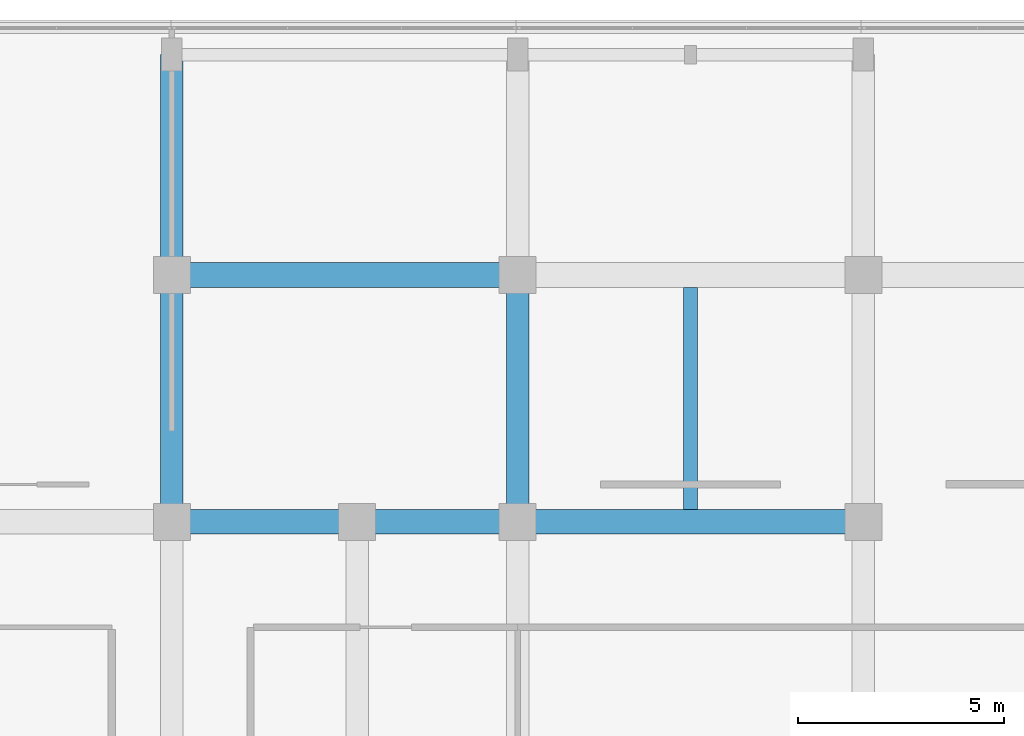
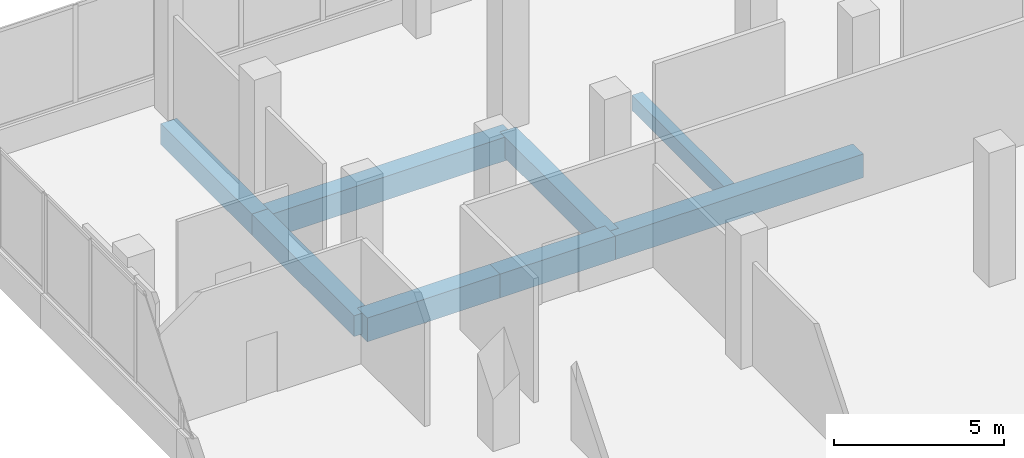
# One storey, part 77 of 168: 8 beams.
"""IFC4 building model written with IfcOpenShell, lengths in metres."""

import ifcopenshell
import ifcopenshell.guid

model = None  # the IFC model being written
_history = None  # IfcOwnerHistory: only IFC2X3 demands one
_inside = {}  # id of a spatial element -> (the spatial element, [elements in it])
_under = {}  # id of a project, library or spatial element -> (it, [spatial elements below it])
_declared = {}  # id of a project -> (the project, [libraries it declares])
_typed = {}  # id of a type object -> (the type object, [elements of that type])
_made_of = {}  # id of a material, layer set ... -> (it, [elements and type objects made of it])


def new_model(schema):
    """Start an empty IFC model of exactly this schema.

    Asked for "IFC4X3", IfcOpenShell would pick the latest addendum, in which some entities
    have other attributes; the version numbers below select the first issue.
    IFC2X3 requires an IfcOwnerHistory on every rooted entity: one is made here for all.
    """
    global model, _history
    if schema == "IFC4X3":
        model = ifcopenshell.file(schema_version=(4, 3, 0, 0))
    else:
        model = ifcopenshell.file(schema=schema)
    _inside.clear()
    _under.clear()
    _declared.clear()
    _typed.clear()
    _made_of.clear()
    _history = None
    if model.schema == "IFC2X3":
        org = make("IfcOrganization", Name="unknown")
        user = make(
            "IfcPersonAndOrganization",
            ThePerson=make("IfcPerson", FamilyName="unknown"),
            TheOrganization=org,
        )
        app = make(
            "IfcApplication",
            ApplicationDeveloper=org,
            Version="unknown",
            ApplicationFullName="unknown",
            ApplicationIdentifier="unknown",
        )
        _history = make(
            "IfcOwnerHistory",
            OwningUser=user,
            OwningApplication=app,
            ChangeAction="ADDED",
            CreationDate=0,
        )
    return model


def make(cls, **values):
    """One entity of the class cls with the attributes given. An attribute that is None is left unset."""
    return model.create_entity(
        cls, **{name: value for name, value in values.items() if value is not None}
    )


def rooted(cls, **values):
    """An entity with a GlobalId (a new one), such as an element, a storey or a relation."""
    return make(cls, GlobalId=ifcopenshell.guid.new(), OwnerHistory=_history, **values)


def si_unit(unit_type, name, prefix=None):
    """IfcSIUnit, for example si_unit("LENGTHUNIT", "METRE", prefix="MILLI")."""
    return make("IfcSIUnit", UnitType=unit_type, Prefix=prefix, Name=name)


def assignment(units):
    """IfcUnitAssignment: the units of a project."""
    return None if units is None else make("IfcUnitAssignment", Units=units)


def point(xyz):
    """IfcCartesianPoint."""
    return None if xyz is None else make("IfcCartesianPoint", Coordinates=xyz)


def direction(xyz):
    """IfcDirection."""
    return None if xyz is None else make("IfcDirection", DirectionRatios=xyz)


def frame(location, z_axis=None, x_axis=None):
    """IfcAxis2Placement3D, a coordinate frame: its origin and axes. An axis left out is left unset."""
    return make(
        "IfcAxis2Placement3D",
        Location=point(location),
        Axis=direction(z_axis),
        RefDirection=direction(x_axis),
    )


def frame_2d(location, x_axis=None):
    """IfcAxis2Placement2D, a coordinate frame in the plane: its origin and x axis."""
    return make(
        "IfcAxis2Placement2D", Location=point(location), RefDirection=direction(x_axis)
    )


def origin():
    """The frame at (0, 0, 0) with its axes left unset."""
    return frame((0.0, 0.0, 0.0))


def origin_2d():
    """The frame at (0, 0) in the plane with its x axis left unset."""
    return frame_2d((0.0, 0.0))


def place(relative_to, where):
    """IfcLocalPlacement: puts the frame where relative to a parent placement (None: the world)."""
    return make(
        "IfcLocalPlacement", PlacementRelTo=relative_to, RelativePlacement=where
    )


def context(
    kind, dimensions, precision=None, world=None, true_north=None, identifier=None
):
    """IfcGeometricRepresentationContext, for example the 3D "Model" context."""
    return make(
        "IfcGeometricRepresentationContext",
        ContextIdentifier=identifier,
        ContextType=kind,
        CoordinateSpaceDimension=dimensions,
        Precision=precision,
        WorldCoordinateSystem=world,
        TrueNorth=true_north,
    )


def subcontext(parent, identifier, kind, view, scale=None):
    """IfcGeometricRepresentationSubContext, for example "Body" below "Model"."""
    return make(
        "IfcGeometricRepresentationSubContext",
        ContextIdentifier=identifier,
        ContextType=kind,
        ParentContext=parent,
        TargetScale=scale,
        TargetView=view,
    )


def project(units=None, contexts=None):
    """IfcProject with its units and contexts."""
    return rooted(
        "IfcProject",
        Name="project",
        RepresentationContexts=contexts,
        UnitsInContext=assignment(units),
    )


def spatial(cls, under=None, at=None, **own):
    """A site, building, storey or space (cls), placed at a placement, below another one or the project."""
    s = rooted(cls, ObjectPlacement=at, **own)
    if under is not None:
        _under.setdefault(under.id(), (under, []))[1].append(s)
    return s


def profile(cls, at=None, kind="AREA", **sizes):
    """A parametric profile (cls). Its sizes go by their IFC names, for example OverallWidth=200.0."""
    return make(cls, ProfileType=kind, Position=at, **sizes)


def rectangle(**sizes):
    """IfcRectangleProfileDef."""
    return profile("IfcRectangleProfileDef", **sizes)


def extrude(swept, where, along, depth):
    """IfcExtrudedAreaSolid: the profile swept, set in the frame where, extruded along a direction by depth."""
    return make(
        "IfcExtrudedAreaSolid",
        SweptArea=swept,
        Position=where,
        ExtrudedDirection=direction(along),
        Depth=depth,
    )


def shape(context_of_items, identifier, shape_type, items):
    """IfcShapeRepresentation: the items that make up one representation, for example the "Body"."""
    return make(
        "IfcShapeRepresentation",
        ContextOfItems=context_of_items,
        RepresentationIdentifier=identifier,
        RepresentationType=shape_type,
        Items=items,
    )


def material(Name=None, Category=None):
    """IfcMaterial."""
    return make("IfcMaterial", Name=Name, Category=Category)


def material_profile(
    of_material, cross_section, Name=None, Category=None, Priority=None
):
    """IfcMaterialProfile: a cross section and its material."""
    return make(
        "IfcMaterialProfile",
        Name=Name,
        Material=of_material,
        Profile=cross_section,
        Priority=Priority,
        Category=Category,
    )


def profile_set(profiles, Name=None, composite=None):
    """IfcMaterialProfileSet."""
    return make(
        "IfcMaterialProfileSet",
        Name=Name,
        MaterialProfiles=profiles,
        CompositeProfile=composite,
    )


def made_of(thing, what):
    """Note that an element or type object is made of a material, layer set ...; save() writes the relation."""
    if what is not None:
        _made_of.setdefault(what.id(), (what, []))[1].append(thing)
    return thing


def type_object(cls, material=None, **own):
    """A type object (cls), such as IfcWallType, which elements share."""
    return made_of(rooted(cls, **own), material)


def element(
    cls,
    number,
    at=None,
    inside=None,
    cuts=None,
    type_object=None,
    material=None,
    context=None,
    identifier="Body",
    shape_type=None,
    held_by="IfcProductDefinitionShape",
    body=None,
    shapes=None,
    **own,
):
    """One element of the class cls, such as IfcWall. Its Tag is "e" and its number.

    at: its placement. inside: the storey or other place that contains it. cuts: it is an
    opening in that element (IfcRelVoidsElement). A single representation is given by context,
    identifier, shape_type and body (its items); several are given by shapes. held_by: the class
    of the entity that holds the representations. save() writes the other relations.
    """
    e = rooted(cls, Tag="e%d" % number, ObjectPlacement=at, **own)
    if body is not None:
        shapes = [shape(context, identifier, shape_type, body)]
    if shapes is not None:
        e.Representation = make(held_by, Representations=shapes)
    if inside is not None:
        _inside.setdefault(inside.id(), (inside, []))[1].append(e)
    if cuts is not None:
        rooted(
            "IfcRelVoidsElement", RelatingBuildingElement=cuts, RelatedOpeningElement=e
        )
    if type_object is not None:
        _typed.setdefault(type_object.id(), (type_object, []))[1].append(e)
    return made_of(e, material)


def aggregate(whole, parts):
    """IfcRelAggregates: a whole, such as a stair, and the parts it consists of."""
    return rooted("IfcRelAggregates", RelatingObject=whole, RelatedObjects=parts)


def save(model, path):
    """Write the relations noted so far, then the file.

    IfcRelAggregates (storeys below a building ...), IfcRelContainedInSpatialStructure (elements
    in a storey), IfcRelDefinesByType, IfcRelAssociatesMaterial and IfcRelDeclares: one each for
    every whole, place, type object, material and project.
    """
    for whole, parts in _under.values():
        aggregate(whole, parts)
    for where, things in _inside.values():
        rooted(
            "IfcRelContainedInSpatialStructure",
            RelatedElements=things,
            RelatingStructure=where,
        )
    for kind, things in _typed.values():
        rooted("IfcRelDefinesByType", RelatedObjects=things, RelatingType=kind)
    for what, things in _made_of.values():
        rooted("IfcRelAssociatesMaterial", RelatedObjects=things, RelatingMaterial=what)
    for by, libraries in _declared.values():
        rooted("IfcRelDeclares", RelatingContext=by, RelatedDefinitions=libraries)
    model.write(path)


model = new_model("IFC4")

# Units and contexts
model_context = context("Model", 3, precision=1e-05, world=origin(), true_north=direction((0.0, 1.0)))
body_context = subcontext(model_context, "Body", "Model", "MODEL_VIEW")
ifc_project = project(units=[si_unit("LENGTHUNIT", "METRE"), si_unit("AREAUNIT", "SQUARE_METRE"), si_unit("VOLUMEUNIT", "CUBIC_METRE"), si_unit("PLANEANGLEUNIT", "RADIAN"), si_unit("MASSUNIT", "GRAM", prefix="KILO")], contexts=[model_context])

# Site, building, storey
site_placement = place(None, origin())
site = spatial("IfcSite", under=ifc_project, at=site_placement, CompositionType="ELEMENT")
building_placement = place(site_placement, origin())
building = spatial("IfcBuilding", under=site, at=building_placement, Name="Selatvlak General Hospital", CompositionType="ELEMENT")
storey_placement = place(building_placement, frame((0.0, 0.0, 5.39990234375)))
storey = spatial("IfcBuildingStorey", under=building, at=storey_placement, Name="L01", CompositionType="ELEMENT", Elevation=5.39990234375)

# Beams
ifc_material = material(Name="Concrete C40/50", Category="concrete")
ifc_material_profile_1 = material_profile(ifc_material, rectangle(XDim=0.60009765625, YDim=0.85009765625, at=origin_2d()), Name="RC-BM 600x850")
ifc_profile_set_1 = profile_set([ifc_material_profile_1], Name="Concrete C40/50")
beam_type_1 = type_object("IfcBeamType", Name="BM-G01", PredefinedType="BEAM", material=ifc_profile_set_1)
beam_1_placement = place(storey_placement, frame((22.800048828125, 108.0, -0.744873046875), z_axis=(1.0, 0.0, 0.0), x_axis=(0.0, 1.0, 0.0)))
element("IfcBeam", 1, at=beam_1_placement, inside=storey, type_object=beam_type_1, Name="Beam BMR-L01-0498", PredefinedType="BEAM", context=body_context, shape_type="SweptSolid", body=[
    extrude(rectangle(XDim=0.60009765625, YDim=0.85009765625, at=origin_2d()), origin(), (0.0, 0.0, 1.0), 4.5),
])
beam_2_placement = place(storey_placement, frame((27.300048828125, 108.0, -0.744873046875), z_axis=(1.0, 0.0, 0.0), x_axis=(0.0, 1.0, 0.0)))
element("IfcBeam", 2, at=beam_2_placement, inside=storey, type_object=beam_type_1, Name="Beam BMR-L01-0499", PredefinedType="BEAM", context=body_context, shape_type="SweptSolid", body=[
    extrude(rectangle(XDim=0.60009765625, YDim=0.85009765625, at=origin_2d()), origin(), (0.0, 0.0, 1.0), 3.89990234375),
])
beam_3_placement = place(storey_placement, frame((31.199951171875, 108.0, -0.744873046875), z_axis=(1.0, 0.0, 0.0), x_axis=(0.0, 1.0, 0.0)))
element("IfcBeam", 3, at=beam_3_placement, inside=storey, type_object=beam_type_1, Name="Beam BMR-L01-0500", PredefinedType="BEAM", context=body_context, shape_type="SweptSolid", body=[
    extrude(rectangle(XDim=0.60009765625, YDim=0.85009765625, at=origin_2d()), origin(), (0.0, 0.0, 1.0), 8.400146484375),
])
beam_4_placement = place(storey_placement, frame((22.800048828125, 114.0, -0.744873046875), z_axis=(1.0, 0.0, 0.0), x_axis=(0.0, 1.0, 0.0)))
element("IfcBeam", 4, at=beam_4_placement, inside=storey, type_object=beam_type_1, Name="Beam BMR-L01-0511", PredefinedType="BEAM", context=body_context, shape_type="SweptSolid", body=[
    extrude(rectangle(XDim=0.60009765625, YDim=0.85009765625, at=origin_2d()), origin(), (0.0, 0.0, 1.0), 8.39990234375),
])
ifc_material_profile_2 = material_profile(ifc_material, rectangle(XDim=0.550048828125, YDim=0.75, at=origin_2d()), Name="RC-BM 550x750")
ifc_profile_set_2 = profile_set([ifc_material_profile_2], Name="Concrete C40/50")
beam_type_2 = type_object("IfcBeamType", Name="BM-G02", PredefinedType="BEAM", material=ifc_profile_set_2)
beam_5_placement = place(storey_placement, frame((22.800048828125, 108.0, -0.69482421875), z_axis=(0.0, 1.0, 0.0), x_axis=(-1.0, 0.0, 0.0)))
element("IfcBeam", 5, at=beam_5_placement, inside=storey, type_object=beam_type_2, Name="Beam BMR-L01-0548", PredefinedType="BEAM", context=body_context, shape_type="SweptSolid", body=[
    extrude(rectangle(XDim=0.550048828125, YDim=0.75, at=origin_2d()), origin(), (0.0, 0.0, 1.0), 6.0),
])
beam_6_placement = place(storey_placement, frame((22.800048828125, 114.0, -0.69482421875), z_axis=(0.0, 1.0, 0.0), x_axis=(-1.0, 0.0, 0.0)))
element("IfcBeam", 6, at=beam_6_placement, inside=storey, type_object=beam_type_2, Name="Beam BMR-L01-0549", PredefinedType="BEAM", context=body_context, shape_type="SweptSolid", body=[
    extrude(rectangle(XDim=0.550048828125, YDim=0.75, at=origin_2d()), origin(), (0.0, 0.0, 1.0), 5.35009765625),
])
beam_7_placement = place(storey_placement, frame((31.199951171875, 108.0, -0.69482421875), z_axis=(0.0, 1.0, 0.0), x_axis=(-1.0, 0.0, 0.0)))
element("IfcBeam", 7, at=beam_7_placement, inside=storey, type_object=beam_type_2, Name="Beam BMR-L01-0557", PredefinedType="BEAM", context=body_context, shape_type="SweptSolid", body=[
    extrude(rectangle(XDim=0.550048828125, YDim=0.75, at=origin_2d()), origin(), (0.0, 0.0, 1.0), 6.0),
])
ifc_material_profile_3 = material_profile(ifc_material, rectangle(XDim=0.35009765625, YDim=0.550048828125, at=origin_2d()), Name="RC-BM 350x550")
ifc_profile_set_3 = profile_set([ifc_material_profile_3], Name="Concrete C40/50")
beam_type_3 = type_object("IfcBeamType", Name="BM-J01", PredefinedType="JOIST", material=ifc_profile_set_3)
beam_8_placement = place(storey_placement, frame((35.39990234375, 108.300048828125, -0.594970703125), z_axis=(0.0, 1.0, 0.0), x_axis=(-1.0, 0.0, 0.0)))
element("IfcBeam", 8, at=beam_8_placement, inside=storey, type_object=beam_type_3, Name="Beam BMR-L01-0701", PredefinedType="JOIST", context=body_context, shape_type="SweptSolid", body=[
    extrude(rectangle(XDim=0.35009765625, YDim=0.550048828125, at=origin_2d()), origin(), (0.0, 0.0, 1.0), 5.39990234375),
])

save(model, "model.ifc")
